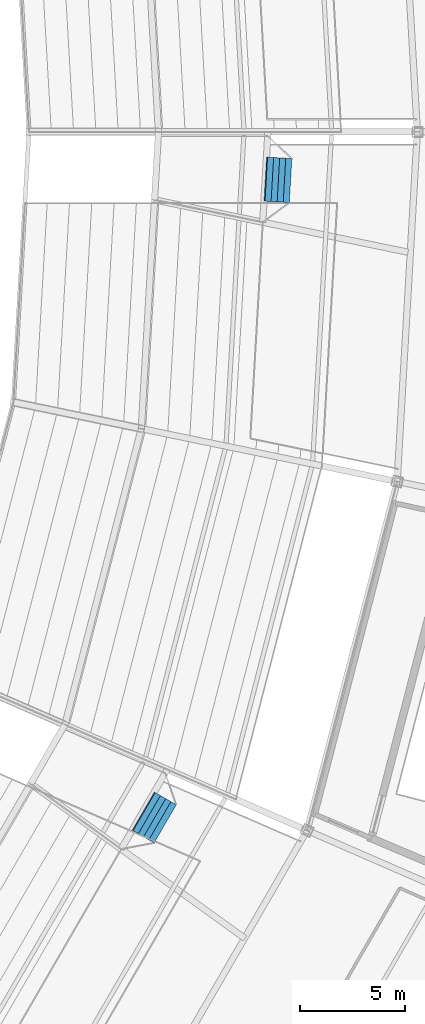
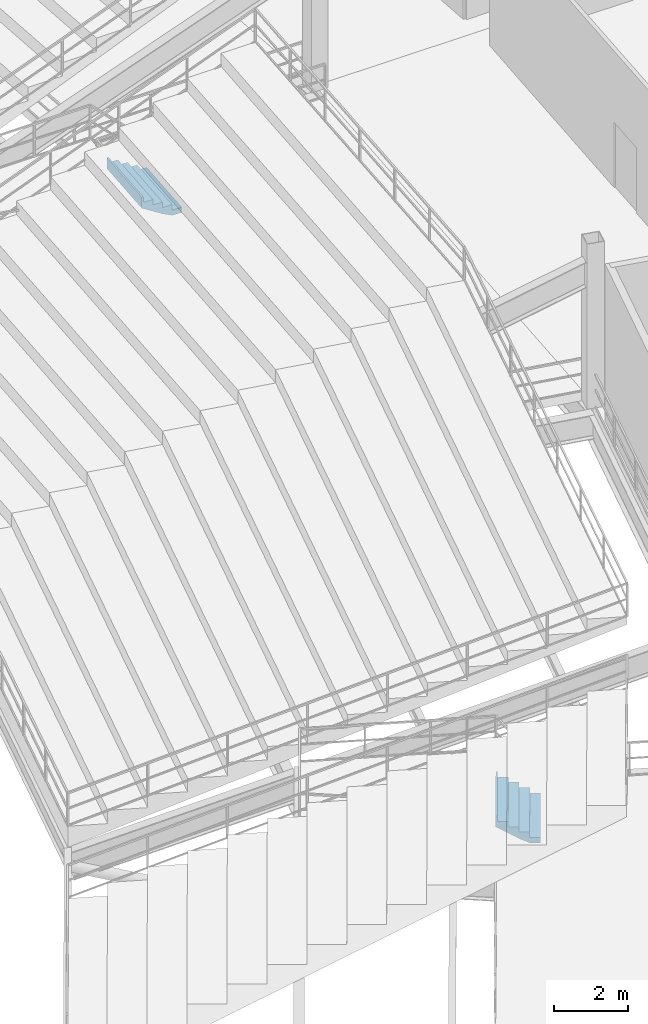
# One storey, part 155 of 186: 2 stair flights, 2 elements without a shape of their own.
"""IFC4 building model written with IfcOpenShell, lengths in metres."""

from ifc_helpers import new_model, si_unit, direction, frame, origin, place, context, subcontext, project, spatial, polygons, material, type_object, element, aggregate, save


model = new_model("IFC4")

# Units and contexts
model_context = context("Model", 3, precision=1e-05, world=origin(), true_north=direction((0.0, 1.0)))
body_context = subcontext(model_context, "Body", "Model", "MODEL_VIEW")
ifc_project = project(units=[si_unit("LENGTHUNIT", "METRE"), si_unit("AREAUNIT", "SQUARE_METRE"), si_unit("VOLUMEUNIT", "CUBIC_METRE"), si_unit("PLANEANGLEUNIT", "RADIAN"), si_unit("MASSUNIT", "GRAM", prefix="KILO")], contexts=[model_context])

# Site, building, storey
site_placement = place(None, origin())
site = spatial("IfcSite", under=ifc_project, at=site_placement, CompositionType="ELEMENT")
building_placement = place(site_placement, origin())
building = spatial("IfcBuilding", under=site, at=building_placement, Name="Kazemori Nagisa Stadium", CompositionType="ELEMENT")
storey_placement = place(building_placement, frame((0.0, 0.0, 20.39990234375)))
storey = spatial("IfcBuildingStorey", under=building, at=storey_placement, Name="L04", CompositionType="ELEMENT", Elevation=20.39990234375)

# Stair, stair flight
ifc_material = material(Name="Concrete C36/45 (Fc36)", Category="concrete")
stair_type = type_object("IfcStairType", Name="Stair_VOM_VU", PredefinedType="STRAIGHT_RUN_STAIR", material=ifc_material)
stair_1_placement = place(storey_placement, origin())
stair_1 = element("IfcStair", 1, at=stair_1_placement, inside=storey, type_object=stair_type, Name="Vomitory stair upper VU11", PredefinedType="STRAIGHT_RUN_STAIR")
stair_flight_type = type_object("IfcStairFlightType", Name="Flight_VOM_VU", PredefinedType="STRAIGHT", material=ifc_material)
stair_flight_1_placement = place(storey_placement, frame((192.67041015625, 68.98974609375, 0.0), z_axis=(0.0, 0.0, 1.0), x_axis=(-0.865104261701, 0.501592081663, 0.0)))
stair_flight_1 = element("IfcStairFlight", 2, at=stair_flight_1_placement, type_object=stair_flight_type, Name="Vomitory stair upper VU11 flight", NumberOfRisers=5, NumberOfTreads=4, PredefinedType="STRAIGHT", RiserHeight=0.176, TreadLength=0.29, context=body_context, shape_type="Tessellation", body=[
    polygons([(0.0, -1.050048828125, 0.0), (0.0, -1.050048828125, 0.176025390625), (0.2900390625, -1.050048828125, 0.176025390625), (0.2900390625, -1.050048828125, 0.35205078125), (0.580078125, -1.050048828125, 0.35205078125), (0.580078125, -1.050048828125, 0.528076171875), (0.8701171875, -1.050048828125, 0.528076171875), (0.8701171875, -1.050048828125, 0.7041015625), (1.159912109375, -1.050048828125, 0.7041015625), (1.159912109375, -1.050048828125, 0.8798828125), (1.2099609375, -1.050048828125, 0.8798828125), (1.2099609375, -1.050048828125, 0.52392578125), (1.159912109375, -1.050048828125, 0.493408203125), (0.8701171875, -1.050048828125, 0.317626953125), (0.580078125, -1.050048828125, 0.1416015625), (0.2900390625, -1.050048828125, 0.0), (0.0, -0.083984375, 0.0), (0.0, -0.083984375, 0.176025390625), (0.2900390625, -0.083984375, 0.176025390625), (0.2900390625, -0.083984375, 0.35205078125), (0.580078125, -0.083984375, 0.35205078125), (0.580078125, -0.083984375, 0.528076171875), (0.8701171875, -0.083984375, 0.528076171875), (0.8701171875, -0.083984375, 0.7041015625), (1.159912109375, -0.083984375, 0.7041015625), (1.159912109375, -0.083984375, 0.8798828125), (1.2099609375, -0.083984375, 0.8798828125), (1.2099609375, -0.083984375, 0.52392578125), (1.159912109375, -0.083984375, 0.493408203125), (0.8701171875, -0.083984375, 0.317626953125), (0.580078125, -0.083984375, 0.1416015625), (0.2900390625, -0.083984375, 0.0), (0.0, -0.06298828125, 0.0), (0.0, -0.06298828125, 0.176025390625), (0.2900390625, -0.06298828125, 0.176025390625), (0.2900390625, -0.06298828125, 0.35205078125), (0.580078125, -0.06298828125, 0.35205078125), (0.580078125, -0.06298828125, 0.528076171875), (0.8701171875, -0.06298828125, 0.528076171875), (0.8701171875, -0.06298828125, 0.7041015625), (1.159912109375, -0.06298828125, 0.7041015625), (1.159912109375, -0.06298828125, 0.8798828125), (1.2099609375, -0.06298828125, 0.8798828125), (1.2099609375, -0.06298828125, 0.52392578125), (1.159912109375, -0.06298828125, 0.493408203125), (0.8701171875, -0.06298828125, 0.317626953125), (0.580078125, -0.06298828125, 0.1416015625), (0.2900390625, -0.06298828125, 0.0), (0.0, -0.0419921875, 0.0), (0.0, -0.0419921875, 0.176025390625), (0.2900390625, -0.0419921875, 0.176025390625), (0.2900390625, -0.0419921875, 0.35205078125), (0.580078125, -0.0419921875, 0.35205078125), (0.580078125, -0.0419921875, 0.528076171875), (0.8701171875, -0.0419921875, 0.528076171875), (0.8701171875, -0.0419921875, 0.7041015625), (1.159912109375, -0.0419921875, 0.7041015625), (1.159912109375, -0.0419921875, 0.8798828125), (1.2099609375, -0.0419921875, 0.8798828125), (1.2099609375, -0.0419921875, 0.52392578125), (1.159912109375, -0.0419921875, 0.493408203125), (0.8701171875, -0.0419921875, 0.317626953125), (0.580078125, -0.0419921875, 0.1416015625), (0.2900390625, -0.0419921875, 0.0), (0.0, -0.02099609375, 0.0), (0.0, -0.02099609375, 0.176025390625), (0.2900390625, -0.02099609375, 0.176025390625), (0.2900390625, -0.02099609375, 0.35205078125), (0.580078125, -0.02099609375, 0.35205078125), (0.580078125, -0.02099609375, 0.528076171875), (0.8701171875, -0.02099609375, 0.528076171875), (0.8701171875, -0.02099609375, 0.7041015625), (1.159912109375, -0.02099609375, 0.7041015625), (1.159912109375, -0.02099609375, 0.8798828125), (1.2099609375, -0.02099609375, 0.8798828125), (1.2099609375, -0.02099609375, 0.52392578125), (1.159912109375, -0.02099609375, 0.493408203125), (0.8701171875, -0.02099609375, 0.317626953125), (0.580078125, -0.02099609375, 0.1416015625), (0.2900390625, -0.02099609375, 0.0), (0.0, 0.0, 0.0), (0.0, 0.0, 0.176025390625), (0.2900390625, 0.0, 0.176025390625), (0.2900390625, 0.0, 0.35205078125), (0.580078125, 0.0, 0.35205078125), (0.580078125, 0.0, 0.528076171875), (0.8701171875, 0.0, 0.528076171875), (0.8701171875, 0.0, 0.7041015625), (1.159912109375, 0.0, 0.7041015625), (1.159912109375, 0.0, 0.8798828125), (1.2099609375, 0.0, 0.8798828125), (1.2099609375, 0.0, 0.52392578125), (1.159912109375, 0.0, 0.493408203125), (0.8701171875, 0.0, 0.317626953125), (0.580078125, 0.0, 0.1416015625), (0.2900390625, 0.0, 0.0), (0.0, 0.02099609375, 0.0), (0.0, 0.02099609375, 0.176025390625), (0.2900390625, 0.02099609375, 0.176025390625), (0.2900390625, 0.02099609375, 0.35205078125), (0.580078125, 0.02099609375, 0.35205078125), (0.580078125, 0.02099609375, 0.528076171875), (0.8701171875, 0.02099609375, 0.528076171875), (0.8701171875, 0.02099609375, 0.7041015625), (1.159912109375, 0.02099609375, 0.7041015625), (1.159912109375, 0.02099609375, 0.8798828125), (1.2099609375, 0.02099609375, 0.8798828125), (1.2099609375, 0.02099609375, 0.52392578125), (1.159912109375, 0.02099609375, 0.493408203125), (0.8701171875, 0.02099609375, 0.317626953125), (0.580078125, 0.02099609375, 0.1416015625), (0.2900390625, 0.02099609375, 0.0), (0.0, 0.0419921875, 0.0), (0.0, 0.0419921875, 0.176025390625), (0.2900390625, 0.0419921875, 0.176025390625), (0.2900390625, 0.0419921875, 0.35205078125), (0.580078125, 0.0419921875, 0.35205078125), (0.580078125, 0.0419921875, 0.528076171875), (0.8701171875, 0.0419921875, 0.528076171875), (0.8701171875, 0.0419921875, 0.7041015625), (1.159912109375, 0.0419921875, 0.7041015625), (1.159912109375, 0.0419921875, 0.8798828125), (1.2099609375, 0.0419921875, 0.8798828125), (1.2099609375, 0.0419921875, 0.52392578125), (1.159912109375, 0.0419921875, 0.493408203125), (0.8701171875, 0.0419921875, 0.317626953125), (0.580078125, 0.0419921875, 0.1416015625), (0.2900390625, 0.0419921875, 0.0), (0.0, 0.06298828125, 0.0), (0.0, 0.06298828125, 0.176025390625), (0.2900390625, 0.06298828125, 0.176025390625), (0.2900390625, 0.06298828125, 0.35205078125), (0.580078125, 0.06298828125, 0.35205078125), (0.580078125, 0.06298828125, 0.528076171875), (0.8701171875, 0.06298828125, 0.528076171875), (0.8701171875, 0.06298828125, 0.7041015625), (1.159912109375, 0.06298828125, 0.7041015625), (1.159912109375, 0.06298828125, 0.8798828125), (1.2099609375, 0.06298828125, 0.8798828125), (1.2099609375, 0.06298828125, 0.52392578125), (1.159912109375, 0.06298828125, 0.493408203125), (0.8701171875, 0.06298828125, 0.317626953125), (0.580078125, 0.06298828125, 0.1416015625), (0.2900390625, 0.06298828125, 0.0), (0.0, 0.083984375, 0.0), (0.0, 0.083984375, 0.176025390625), (0.2900390625, 0.083984375, 0.176025390625), (0.2900390625, 0.083984375, 0.35205078125), (0.580078125, 0.083984375, 0.35205078125), (0.580078125, 0.083984375, 0.528076171875), (0.8701171875, 0.083984375, 0.528076171875), (0.8701171875, 0.083984375, 0.7041015625), (1.159912109375, 0.083984375, 0.7041015625), (1.159912109375, 0.083984375, 0.8798828125), (1.2099609375, 0.083984375, 0.8798828125), (1.2099609375, 0.083984375, 0.52392578125), (1.159912109375, 0.083984375, 0.493408203125), (0.8701171875, 0.083984375, 0.317626953125), (0.580078125, 0.083984375, 0.1416015625), (0.2900390625, 0.083984375, 0.0), (0.0, 1.050048828125, 0.0), (0.0, 1.050048828125, 0.176025390625), (0.2900390625, 1.050048828125, 0.176025390625), (0.2900390625, 1.050048828125, 0.35205078125), (0.580078125, 1.050048828125, 0.35205078125), (0.580078125, 1.050048828125, 0.528076171875), (0.8701171875, 1.050048828125, 0.528076171875), (0.8701171875, 1.050048828125, 0.7041015625), (1.159912109375, 1.050048828125, 0.7041015625), (1.159912109375, 1.050048828125, 0.8798828125), (1.2099609375, 1.050048828125, 0.8798828125), (1.2099609375, 1.050048828125, 0.52392578125), (1.159912109375, 1.050048828125, 0.493408203125), (0.8701171875, 1.050048828125, 0.317626953125), (0.580078125, 1.050048828125, 0.1416015625), (0.2900390625, 1.050048828125, 0.0)], [[[1, 2, 18]], [[1, 18, 17]], [[2, 3, 19]], [[2, 19, 18]], [[3, 4, 20]], [[3, 20, 19]], [[4, 5, 21]], [[4, 21, 20]], [[5, 6, 22]], [[5, 22, 21]], [[6, 7, 23]], [[6, 23, 22]], [[7, 8, 24]], [[7, 24, 23]], [[8, 9, 25]], [[8, 25, 24]], [[9, 10, 26]], [[9, 26, 25]], [[10, 11, 27]], [[10, 27, 26]], [[11, 12, 28]], [[11, 28, 27]], [[12, 13, 29]], [[12, 29, 28]], [[13, 14, 30]], [[13, 30, 29]], [[14, 15, 31]], [[14, 31, 30]], [[15, 16, 32]], [[15, 32, 31]], [[16, 1, 17]], [[16, 17, 32]], [[17, 18, 34]], [[17, 34, 33]], [[18, 19, 35]], [[18, 35, 34]], [[19, 20, 36]], [[19, 36, 35]], [[20, 21, 37]], [[20, 37, 36]], [[21, 22, 38]], [[21, 38, 37]], [[22, 23, 39]], [[22, 39, 38]], [[23, 24, 40]], [[23, 40, 39]], [[24, 25, 41]], [[24, 41, 40]], [[25, 26, 42]], [[25, 42, 41]], [[26, 27, 43]], [[26, 43, 42]], [[27, 28, 44]], [[27, 44, 43]], [[28, 29, 45]], [[28, 45, 44]], [[29, 30, 46]], [[29, 46, 45]], [[30, 31, 47]], [[30, 47, 46]], [[31, 32, 48]], [[31, 48, 47]], [[32, 17, 33]], [[32, 33, 48]], [[33, 34, 50]], [[33, 50, 49]], [[34, 35, 51]], [[34, 51, 50]], [[35, 36, 52]], [[35, 52, 51]], [[36, 37, 53]], [[36, 53, 52]], [[37, 38, 54]], [[37, 54, 53]], [[38, 39, 55]], [[38, 55, 54]], [[39, 40, 56]], [[39, 56, 55]], [[40, 41, 57]], [[40, 57, 56]], [[41, 42, 58]], [[41, 58, 57]], [[42, 43, 59]], [[42, 59, 58]], [[43, 44, 60]], [[43, 60, 59]], [[44, 45, 61]], [[44, 61, 60]], [[45, 46, 62]], [[45, 62, 61]], [[46, 47, 63]], [[46, 63, 62]], [[47, 48, 64]], [[47, 64, 63]], [[48, 33, 49]], [[48, 49, 64]], [[49, 50, 66]], [[49, 66, 65]], [[50, 51, 67]], [[50, 67, 66]], [[51, 52, 68]], [[51, 68, 67]], [[52, 53, 69]], [[52, 69, 68]], [[53, 54, 70]], [[53, 70, 69]], [[54, 55, 71]], [[54, 71, 70]], [[55, 56, 72]], [[55, 72, 71]], [[56, 57, 73]], [[56, 73, 72]], [[57, 58, 74]], [[57, 74, 73]], [[58, 59, 75]], [[58, 75, 74]], [[59, 60, 76]], [[59, 76, 75]], [[60, 61, 77]], [[60, 77, 76]], [[61, 62, 78]], [[61, 78, 77]], [[62, 63, 79]], [[62, 79, 78]], [[63, 64, 80]], [[63, 80, 79]], [[64, 49, 65]], [[64, 65, 80]], [[65, 66, 82]], [[65, 82, 81]], [[66, 67, 83]], [[66, 83, 82]], [[67, 68, 84]], [[67, 84, 83]], [[68, 69, 85]], [[68, 85, 84]], [[69, 70, 86]], [[69, 86, 85]], [[70, 71, 87]], [[70, 87, 86]], [[71, 72, 88]], [[71, 88, 87]], [[72, 73, 89]], [[72, 89, 88]], [[73, 74, 90]], [[73, 90, 89]], [[74, 75, 91]], [[74, 91, 90]], [[75, 76, 92]], [[75, 92, 91]], [[76, 77, 93]], [[76, 93, 92]], [[77, 78, 94]], [[77, 94, 93]], [[78, 79, 95]], [[78, 95, 94]], [[79, 80, 96]], [[79, 96, 95]], [[80, 65, 81]], [[80, 81, 96]], [[81, 82, 98]], [[81, 98, 97]], [[82, 83, 99]], [[82, 99, 98]], [[83, 84, 100]], [[83, 100, 99]], [[84, 85, 101]], [[84, 101, 100]], [[85, 86, 102]], [[85, 102, 101]], [[86, 87, 103]], [[86, 103, 102]], [[87, 88, 104]], [[87, 104, 103]], [[88, 89, 105]], [[88, 105, 104]], [[89, 90, 106]], [[89, 106, 105]], [[90, 91, 107]], [[90, 107, 106]], [[91, 92, 108]], [[91, 108, 107]], [[92, 93, 109]], [[92, 109, 108]], [[93, 94, 110]], [[93, 110, 109]], [[94, 95, 111]], [[94, 111, 110]], [[95, 96, 112]], [[95, 112, 111]], [[96, 81, 97]], [[96, 97, 112]], [[97, 98, 114]], [[97, 114, 113]], [[98, 99, 115]], [[98, 115, 114]], [[99, 100, 116]], [[99, 116, 115]], [[100, 101, 117]], [[100, 117, 116]], [[101, 102, 118]], [[101, 118, 117]], [[102, 103, 119]], [[102, 119, 118]], [[103, 104, 120]], [[103, 120, 119]], [[104, 105, 121]], [[104, 121, 120]], [[105, 106, 122]], [[105, 122, 121]], [[106, 107, 123]], [[106, 123, 122]], [[107, 108, 124]], [[107, 124, 123]], [[108, 109, 125]], [[108, 125, 124]], [[109, 110, 126]], [[109, 126, 125]], [[110, 111, 127]], [[110, 127, 126]], [[111, 112, 128]], [[111, 128, 127]], [[112, 97, 113]], [[112, 113, 128]], [[113, 114, 130]], [[113, 130, 129]], [[114, 115, 131]], [[114, 131, 130]], [[115, 116, 132]], [[115, 132, 131]], [[116, 117, 133]], [[116, 133, 132]], [[117, 118, 134]], [[117, 134, 133]], [[118, 119, 135]], [[118, 135, 134]], [[119, 120, 136]], [[119, 136, 135]], [[120, 121, 137]], [[120, 137, 136]], [[121, 122, 138]], [[121, 138, 137]], [[122, 123, 139]], [[122, 139, 138]], [[123, 124, 140]], [[123, 140, 139]], [[124, 125, 141]], [[124, 141, 140]], [[125, 126, 142]], [[125, 142, 141]], [[126, 127, 143]], [[126, 143, 142]], [[127, 128, 144]], [[127, 144, 143]], [[128, 113, 129]], [[128, 129, 144]], [[129, 130, 146]], [[129, 146, 145]], [[130, 131, 147]], [[130, 147, 146]], [[131, 132, 148]], [[131, 148, 147]], [[132, 133, 149]], [[132, 149, 148]], [[133, 134, 150]], [[133, 150, 149]], [[134, 135, 151]], [[134, 151, 150]], [[135, 136, 152]], [[135, 152, 151]], [[136, 137, 153]], [[136, 153, 152]], [[137, 138, 154]], [[137, 154, 153]], [[138, 139, 155]], [[138, 155, 154]], [[139, 140, 156]], [[139, 156, 155]], [[140, 141, 157]], [[140, 157, 156]], [[141, 142, 158]], [[141, 158, 157]], [[142, 143, 159]], [[142, 159, 158]], [[143, 144, 160]], [[143, 160, 159]], [[144, 129, 145]], [[144, 145, 160]], [[145, 146, 162]], [[145, 162, 161]], [[146, 147, 163]], [[146, 163, 162]], [[147, 148, 164]], [[147, 164, 163]], [[148, 149, 165]], [[148, 165, 164]], [[149, 150, 166]], [[149, 166, 165]], [[150, 151, 167]], [[150, 167, 166]], [[151, 152, 168]], [[151, 168, 167]], [[152, 153, 169]], [[152, 169, 168]], [[153, 154, 170]], [[153, 170, 169]], [[154, 155, 171]], [[154, 171, 170]], [[155, 156, 172]], [[155, 172, 171]], [[156, 157, 173]], [[156, 173, 172]], [[157, 158, 174]], [[157, 174, 173]], [[158, 159, 175]], [[158, 175, 174]], [[159, 160, 176]], [[159, 176, 175]], [[160, 145, 161]], [[160, 161, 176]], [[3, 2, 1]], [[161, 162, 163]], [[16, 3, 1]], [[161, 163, 176]], [[15, 3, 16]], [[176, 163, 175]], [[5, 3, 15]], [[175, 163, 165]], [[5, 4, 3]], [[163, 164, 165]], [[14, 5, 15]], [[175, 165, 174]], [[7, 5, 14]], [[174, 165, 167]], [[7, 6, 5]], [[165, 166, 167]], [[13, 7, 14]], [[174, 167, 173]], [[9, 7, 13]], [[173, 167, 169]], [[9, 8, 7]], [[167, 168, 169]], [[12, 9, 13]], [[173, 169, 172]], [[11, 9, 12]], [[172, 169, 171]], [[11, 10, 9]], [[169, 170, 171]]], closed=True),
])
aggregate(stair_1, [stair_flight_1])

stair_2_placement = place(storey_placement, origin())
stair_2 = element("IfcStair", 3, at=stair_2_placement, inside=storey, type_object=stair_type, Name="Vomitory stair upper VU12", PredefinedType="STRAIGHT_RUN_STAIR")
stair_flight_2_placement = place(storey_placement, frame((198.65283203125, 99.6748046875, 0.0), z_axis=(0.0, 0.0, 1.0), x_axis=(-0.998347613733, 0.057463398387, 0.0)))
stair_flight_2 = element("IfcStairFlight", 4, at=stair_flight_2_placement, type_object=stair_flight_type, Name="Vomitory stair upper VU12 flight", NumberOfRisers=5, NumberOfTreads=4, PredefinedType="STRAIGHT", RiserHeight=0.176, TreadLength=0.29, context=body_context, shape_type="Tessellation", body=[
    polygons([(0.0, -1.050048828125, 0.0), (0.0, -1.050048828125, 0.176025390625), (0.2900390625, -1.050048828125, 0.176025390625), (0.2900390625, -1.050048828125, 0.35205078125), (0.580078125, -1.050048828125, 0.35205078125), (0.580078125, -1.050048828125, 0.528076171875), (0.8701171875, -1.050048828125, 0.528076171875), (0.8701171875, -1.050048828125, 0.7041015625), (1.159912109375, -1.050048828125, 0.7041015625), (1.159912109375, -1.050048828125, 0.8798828125), (1.2099609375, -1.050048828125, 0.8798828125), (1.2099609375, -1.050048828125, 0.52392578125), (1.159912109375, -1.050048828125, 0.493408203125), (0.8701171875, -1.050048828125, 0.317626953125), (0.580078125, -1.050048828125, 0.1416015625), (0.2900390625, -1.050048828125, 0.0), (0.0, -0.083984375, 0.0), (0.0, -0.083984375, 0.176025390625), (0.2900390625, -0.083984375, 0.176025390625), (0.2900390625, -0.083984375, 0.35205078125), (0.580078125, -0.083984375, 0.35205078125), (0.580078125, -0.083984375, 0.528076171875), (0.8701171875, -0.083984375, 0.528076171875), (0.8701171875, -0.083984375, 0.7041015625), (1.159912109375, -0.083984375, 0.7041015625), (1.159912109375, -0.083984375, 0.8798828125), (1.2099609375, -0.083984375, 0.8798828125), (1.2099609375, -0.083984375, 0.52392578125), (1.159912109375, -0.083984375, 0.493408203125), (0.8701171875, -0.083984375, 0.317626953125), (0.580078125, -0.083984375, 0.1416015625), (0.2900390625, -0.083984375, 0.0), (0.0, -0.06298828125, 0.0), (0.0, -0.06298828125, 0.176025390625), (0.2900390625, -0.06298828125, 0.176025390625), (0.2900390625, -0.06298828125, 0.35205078125), (0.580078125, -0.06298828125, 0.35205078125), (0.580078125, -0.06298828125, 0.528076171875), (0.8701171875, -0.06298828125, 0.528076171875), (0.8701171875, -0.06298828125, 0.7041015625), (1.159912109375, -0.06298828125, 0.7041015625), (1.159912109375, -0.06298828125, 0.8798828125), (1.2099609375, -0.06298828125, 0.8798828125), (1.2099609375, -0.06298828125, 0.52392578125), (1.159912109375, -0.06298828125, 0.493408203125), (0.8701171875, -0.06298828125, 0.317626953125), (0.580078125, -0.06298828125, 0.1416015625), (0.2900390625, -0.06298828125, 0.0), (0.0, -0.0419921875, 0.0), (0.0, -0.0419921875, 0.176025390625), (0.2900390625, -0.0419921875, 0.176025390625), (0.2900390625, -0.0419921875, 0.35205078125), (0.580078125, -0.0419921875, 0.35205078125), (0.580078125, -0.0419921875, 0.528076171875), (0.8701171875, -0.0419921875, 0.528076171875), (0.8701171875, -0.0419921875, 0.7041015625), (1.159912109375, -0.0419921875, 0.7041015625), (1.159912109375, -0.0419921875, 0.8798828125), (1.2099609375, -0.0419921875, 0.8798828125), (1.2099609375, -0.0419921875, 0.52392578125), (1.159912109375, -0.0419921875, 0.493408203125), (0.8701171875, -0.0419921875, 0.317626953125), (0.580078125, -0.0419921875, 0.1416015625), (0.2900390625, -0.0419921875, 0.0), (0.0, -0.02099609375, 0.0), (0.0, -0.02099609375, 0.176025390625), (0.2900390625, -0.02099609375, 0.176025390625), (0.2900390625, -0.02099609375, 0.35205078125), (0.580078125, -0.02099609375, 0.35205078125), (0.580078125, -0.02099609375, 0.528076171875), (0.8701171875, -0.02099609375, 0.528076171875), (0.8701171875, -0.02099609375, 0.7041015625), (1.159912109375, -0.02099609375, 0.7041015625), (1.159912109375, -0.02099609375, 0.8798828125), (1.2099609375, -0.02099609375, 0.8798828125), (1.2099609375, -0.02099609375, 0.52392578125), (1.159912109375, -0.02099609375, 0.493408203125), (0.8701171875, -0.02099609375, 0.317626953125), (0.580078125, -0.02099609375, 0.1416015625), (0.2900390625, -0.02099609375, 0.0), (0.0, 0.0, 0.0), (0.0, 0.0, 0.176025390625), (0.2900390625, 0.0, 0.176025390625), (0.2900390625, 0.0, 0.35205078125), (0.580078125, 0.0, 0.35205078125), (0.580078125, 0.0, 0.528076171875), (0.8701171875, 0.0, 0.528076171875), (0.8701171875, 0.0, 0.7041015625), (1.159912109375, 0.0, 0.7041015625), (1.159912109375, 0.0, 0.8798828125), (1.2099609375, 0.0, 0.8798828125), (1.2099609375, 0.0, 0.52392578125), (1.159912109375, 0.0, 0.493408203125), (0.8701171875, 0.0, 0.317626953125), (0.580078125, 0.0, 0.1416015625), (0.2900390625, 0.0, 0.0), (0.0, 0.02099609375, 0.0), (0.0, 0.02099609375, 0.176025390625), (0.2900390625, 0.02099609375, 0.176025390625), (0.2900390625, 0.02099609375, 0.35205078125), (0.580078125, 0.02099609375, 0.35205078125), (0.580078125, 0.02099609375, 0.528076171875), (0.8701171875, 0.02099609375, 0.528076171875), (0.8701171875, 0.02099609375, 0.7041015625), (1.159912109375, 0.02099609375, 0.7041015625), (1.159912109375, 0.02099609375, 0.8798828125), (1.2099609375, 0.02099609375, 0.8798828125), (1.2099609375, 0.02099609375, 0.52392578125), (1.159912109375, 0.02099609375, 0.493408203125), (0.8701171875, 0.02099609375, 0.317626953125), (0.580078125, 0.02099609375, 0.1416015625), (0.2900390625, 0.02099609375, 0.0), (0.0, 0.0419921875, 0.0), (0.0, 0.0419921875, 0.176025390625), (0.2900390625, 0.0419921875, 0.176025390625), (0.2900390625, 0.0419921875, 0.35205078125), (0.580078125, 0.0419921875, 0.35205078125), (0.580078125, 0.0419921875, 0.528076171875), (0.8701171875, 0.0419921875, 0.528076171875), (0.8701171875, 0.0419921875, 0.7041015625), (1.159912109375, 0.0419921875, 0.7041015625), (1.159912109375, 0.0419921875, 0.8798828125), (1.2099609375, 0.0419921875, 0.8798828125), (1.2099609375, 0.0419921875, 0.52392578125), (1.159912109375, 0.0419921875, 0.493408203125), (0.8701171875, 0.0419921875, 0.317626953125), (0.580078125, 0.0419921875, 0.1416015625), (0.2900390625, 0.0419921875, 0.0), (0.0, 0.06298828125, 0.0), (0.0, 0.06298828125, 0.176025390625), (0.2900390625, 0.06298828125, 0.176025390625), (0.2900390625, 0.06298828125, 0.35205078125), (0.580078125, 0.06298828125, 0.35205078125), (0.580078125, 0.06298828125, 0.528076171875), (0.8701171875, 0.06298828125, 0.528076171875), (0.8701171875, 0.06298828125, 0.7041015625), (1.159912109375, 0.06298828125, 0.7041015625), (1.159912109375, 0.06298828125, 0.8798828125), (1.2099609375, 0.06298828125, 0.8798828125), (1.2099609375, 0.06298828125, 0.52392578125), (1.159912109375, 0.06298828125, 0.493408203125), (0.8701171875, 0.06298828125, 0.317626953125), (0.580078125, 0.06298828125, 0.1416015625), (0.2900390625, 0.06298828125, 0.0), (0.0, 0.083984375, 0.0), (0.0, 0.083984375, 0.176025390625), (0.2900390625, 0.083984375, 0.176025390625), (0.2900390625, 0.083984375, 0.35205078125), (0.580078125, 0.083984375, 0.35205078125), (0.580078125, 0.083984375, 0.528076171875), (0.8701171875, 0.083984375, 0.528076171875), (0.8701171875, 0.083984375, 0.7041015625), (1.159912109375, 0.083984375, 0.7041015625), (1.159912109375, 0.083984375, 0.8798828125), (1.2099609375, 0.083984375, 0.8798828125), (1.2099609375, 0.083984375, 0.52392578125), (1.159912109375, 0.083984375, 0.493408203125), (0.8701171875, 0.083984375, 0.317626953125), (0.580078125, 0.083984375, 0.1416015625), (0.2900390625, 0.083984375, 0.0), (0.0, 1.050048828125, 0.0), (0.0, 1.050048828125, 0.176025390625), (0.2900390625, 1.050048828125, 0.176025390625), (0.2900390625, 1.050048828125, 0.35205078125), (0.580078125, 1.050048828125, 0.35205078125), (0.580078125, 1.050048828125, 0.528076171875), (0.8701171875, 1.050048828125, 0.528076171875), (0.8701171875, 1.050048828125, 0.7041015625), (1.159912109375, 1.050048828125, 0.7041015625), (1.159912109375, 1.050048828125, 0.8798828125), (1.2099609375, 1.050048828125, 0.8798828125), (1.2099609375, 1.050048828125, 0.52392578125), (1.159912109375, 1.050048828125, 0.493408203125), (0.8701171875, 1.050048828125, 0.317626953125), (0.580078125, 1.050048828125, 0.1416015625), (0.2900390625, 1.050048828125, 0.0)], [[[1, 2, 18]], [[1, 18, 17]], [[2, 3, 19]], [[2, 19, 18]], [[3, 4, 20]], [[3, 20, 19]], [[4, 5, 21]], [[4, 21, 20]], [[5, 6, 22]], [[5, 22, 21]], [[6, 7, 23]], [[6, 23, 22]], [[7, 8, 24]], [[7, 24, 23]], [[8, 9, 25]], [[8, 25, 24]], [[9, 10, 26]], [[9, 26, 25]], [[10, 11, 27]], [[10, 27, 26]], [[11, 12, 28]], [[11, 28, 27]], [[12, 13, 29]], [[12, 29, 28]], [[13, 14, 30]], [[13, 30, 29]], [[14, 15, 31]], [[14, 31, 30]], [[15, 16, 32]], [[15, 32, 31]], [[16, 1, 17]], [[16, 17, 32]], [[17, 18, 34]], [[17, 34, 33]], [[18, 19, 35]], [[18, 35, 34]], [[19, 20, 36]], [[19, 36, 35]], [[20, 21, 37]], [[20, 37, 36]], [[21, 22, 38]], [[21, 38, 37]], [[22, 23, 39]], [[22, 39, 38]], [[23, 24, 40]], [[23, 40, 39]], [[24, 25, 41]], [[24, 41, 40]], [[25, 26, 42]], [[25, 42, 41]], [[26, 27, 43]], [[26, 43, 42]], [[27, 28, 44]], [[27, 44, 43]], [[28, 29, 45]], [[28, 45, 44]], [[29, 30, 46]], [[29, 46, 45]], [[30, 31, 47]], [[30, 47, 46]], [[31, 32, 48]], [[31, 48, 47]], [[32, 17, 33]], [[32, 33, 48]], [[33, 34, 50]], [[33, 50, 49]], [[34, 35, 51]], [[34, 51, 50]], [[35, 36, 52]], [[35, 52, 51]], [[36, 37, 53]], [[36, 53, 52]], [[37, 38, 54]], [[37, 54, 53]], [[38, 39, 55]], [[38, 55, 54]], [[39, 40, 56]], [[39, 56, 55]], [[40, 41, 57]], [[40, 57, 56]], [[41, 42, 58]], [[41, 58, 57]], [[42, 43, 59]], [[42, 59, 58]], [[43, 44, 60]], [[43, 60, 59]], [[44, 45, 61]], [[44, 61, 60]], [[45, 46, 62]], [[45, 62, 61]], [[46, 47, 63]], [[46, 63, 62]], [[47, 48, 64]], [[47, 64, 63]], [[48, 33, 49]], [[48, 49, 64]], [[49, 50, 66]], [[49, 66, 65]], [[50, 51, 67]], [[50, 67, 66]], [[51, 52, 68]], [[51, 68, 67]], [[52, 53, 69]], [[52, 69, 68]], [[53, 54, 70]], [[53, 70, 69]], [[54, 55, 71]], [[54, 71, 70]], [[55, 56, 72]], [[55, 72, 71]], [[56, 57, 73]], [[56, 73, 72]], [[57, 58, 74]], [[57, 74, 73]], [[58, 59, 75]], [[58, 75, 74]], [[59, 60, 76]], [[59, 76, 75]], [[60, 61, 77]], [[60, 77, 76]], [[61, 62, 78]], [[61, 78, 77]], [[62, 63, 79]], [[62, 79, 78]], [[63, 64, 80]], [[63, 80, 79]], [[64, 49, 65]], [[64, 65, 80]], [[65, 66, 82]], [[65, 82, 81]], [[66, 67, 83]], [[66, 83, 82]], [[67, 68, 84]], [[67, 84, 83]], [[68, 69, 85]], [[68, 85, 84]], [[69, 70, 86]], [[69, 86, 85]], [[70, 71, 87]], [[70, 87, 86]], [[71, 72, 88]], [[71, 88, 87]], [[72, 73, 89]], [[72, 89, 88]], [[73, 74, 90]], [[73, 90, 89]], [[74, 75, 91]], [[74, 91, 90]], [[75, 76, 92]], [[75, 92, 91]], [[76, 77, 93]], [[76, 93, 92]], [[77, 78, 94]], [[77, 94, 93]], [[78, 79, 95]], [[78, 95, 94]], [[79, 80, 96]], [[79, 96, 95]], [[80, 65, 81]], [[80, 81, 96]], [[81, 82, 98]], [[81, 98, 97]], [[82, 83, 99]], [[82, 99, 98]], [[83, 84, 100]], [[83, 100, 99]], [[84, 85, 101]], [[84, 101, 100]], [[85, 86, 102]], [[85, 102, 101]], [[86, 87, 103]], [[86, 103, 102]], [[87, 88, 104]], [[87, 104, 103]], [[88, 89, 105]], [[88, 105, 104]], [[89, 90, 106]], [[89, 106, 105]], [[90, 91, 107]], [[90, 107, 106]], [[91, 92, 108]], [[91, 108, 107]], [[92, 93, 109]], [[92, 109, 108]], [[93, 94, 110]], [[93, 110, 109]], [[94, 95, 111]], [[94, 111, 110]], [[95, 96, 112]], [[95, 112, 111]], [[96, 81, 97]], [[96, 97, 112]], [[97, 98, 114]], [[97, 114, 113]], [[98, 99, 115]], [[98, 115, 114]], [[99, 100, 116]], [[99, 116, 115]], [[100, 101, 117]], [[100, 117, 116]], [[101, 102, 118]], [[101, 118, 117]], [[102, 103, 119]], [[102, 119, 118]], [[103, 104, 120]], [[103, 120, 119]], [[104, 105, 121]], [[104, 121, 120]], [[105, 106, 122]], [[105, 122, 121]], [[106, 107, 123]], [[106, 123, 122]], [[107, 108, 124]], [[107, 124, 123]], [[108, 109, 125]], [[108, 125, 124]], [[109, 110, 126]], [[109, 126, 125]], [[110, 111, 127]], [[110, 127, 126]], [[111, 112, 128]], [[111, 128, 127]], [[112, 97, 113]], [[112, 113, 128]], [[113, 114, 130]], [[113, 130, 129]], [[114, 115, 131]], [[114, 131, 130]], [[115, 116, 132]], [[115, 132, 131]], [[116, 117, 133]], [[116, 133, 132]], [[117, 118, 134]], [[117, 134, 133]], [[118, 119, 135]], [[118, 135, 134]], [[119, 120, 136]], [[119, 136, 135]], [[120, 121, 137]], [[120, 137, 136]], [[121, 122, 138]], [[121, 138, 137]], [[122, 123, 139]], [[122, 139, 138]], [[123, 124, 140]], [[123, 140, 139]], [[124, 125, 141]], [[124, 141, 140]], [[125, 126, 142]], [[125, 142, 141]], [[126, 127, 143]], [[126, 143, 142]], [[127, 128, 144]], [[127, 144, 143]], [[128, 113, 129]], [[128, 129, 144]], [[129, 130, 146]], [[129, 146, 145]], [[130, 131, 147]], [[130, 147, 146]], [[131, 132, 148]], [[131, 148, 147]], [[132, 133, 149]], [[132, 149, 148]], [[133, 134, 150]], [[133, 150, 149]], [[134, 135, 151]], [[134, 151, 150]], [[135, 136, 152]], [[135, 152, 151]], [[136, 137, 153]], [[136, 153, 152]], [[137, 138, 154]], [[137, 154, 153]], [[138, 139, 155]], [[138, 155, 154]], [[139, 140, 156]], [[139, 156, 155]], [[140, 141, 157]], [[140, 157, 156]], [[141, 142, 158]], [[141, 158, 157]], [[142, 143, 159]], [[142, 159, 158]], [[143, 144, 160]], [[143, 160, 159]], [[144, 129, 145]], [[144, 145, 160]], [[145, 146, 162]], [[145, 162, 161]], [[146, 147, 163]], [[146, 163, 162]], [[147, 148, 164]], [[147, 164, 163]], [[148, 149, 165]], [[148, 165, 164]], [[149, 150, 166]], [[149, 166, 165]], [[150, 151, 167]], [[150, 167, 166]], [[151, 152, 168]], [[151, 168, 167]], [[152, 153, 169]], [[152, 169, 168]], [[153, 154, 170]], [[153, 170, 169]], [[154, 155, 171]], [[154, 171, 170]], [[155, 156, 172]], [[155, 172, 171]], [[156, 157, 173]], [[156, 173, 172]], [[157, 158, 174]], [[157, 174, 173]], [[158, 159, 175]], [[158, 175, 174]], [[159, 160, 176]], [[159, 176, 175]], [[160, 145, 161]], [[160, 161, 176]], [[3, 2, 1]], [[161, 162, 163]], [[16, 3, 1]], [[161, 163, 176]], [[15, 3, 16]], [[176, 163, 175]], [[5, 3, 15]], [[175, 163, 165]], [[5, 4, 3]], [[163, 164, 165]], [[14, 5, 15]], [[175, 165, 174]], [[7, 5, 14]], [[174, 165, 167]], [[7, 6, 5]], [[165, 166, 167]], [[13, 7, 14]], [[174, 167, 173]], [[9, 7, 13]], [[173, 167, 169]], [[9, 8, 7]], [[167, 168, 169]], [[12, 9, 13]], [[173, 169, 172]], [[11, 9, 12]], [[172, 169, 171]], [[11, 10, 9]], [[169, 170, 171]]], closed=True),
])
aggregate(stair_2, [stair_flight_2])

save(model, "model.ifc")
